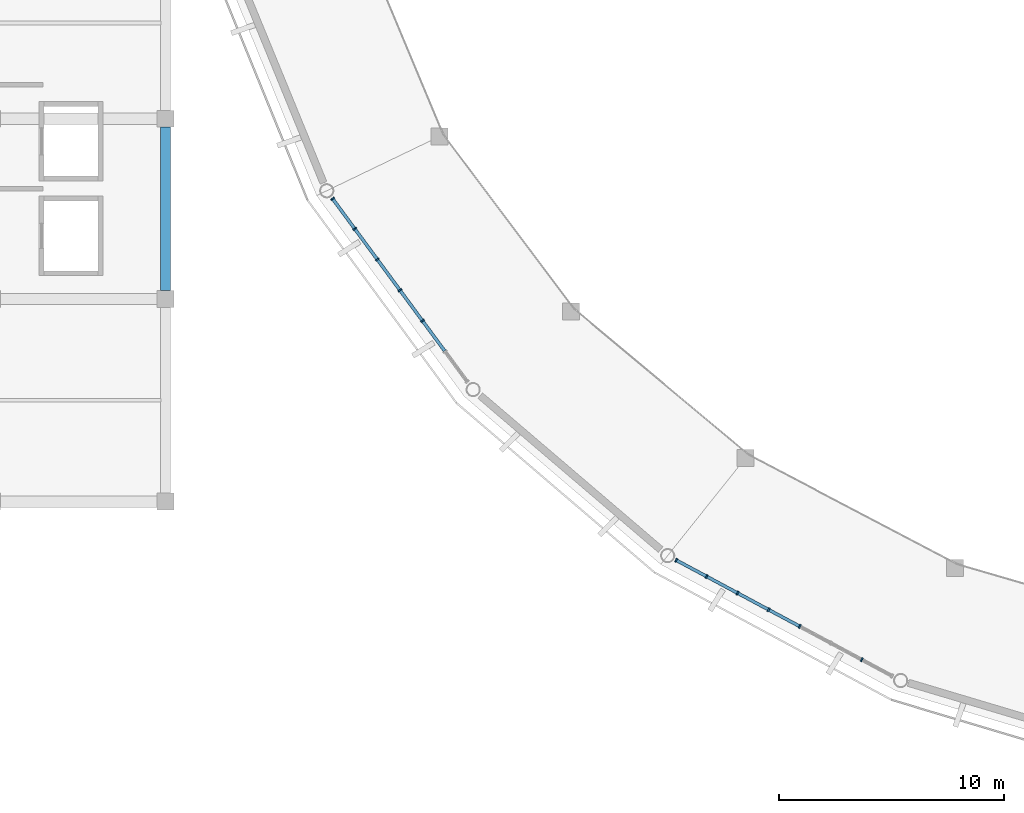
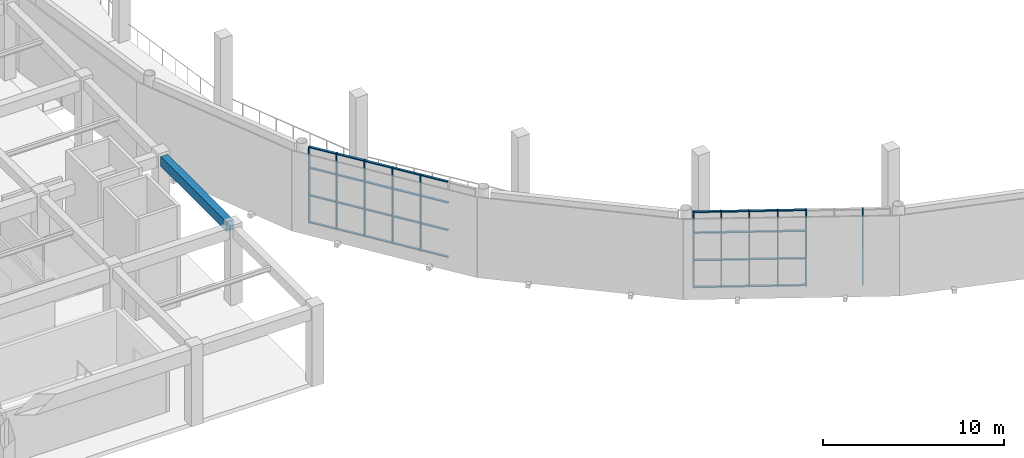
# One storey, part 9 of 40: 47 members, 1 beam, 2 elements without a shape of their own.
"""IFC4 building model written with IfcOpenShell, lengths in metres."""

from ifc_helpers import new_model, si_unit, direction, frame, origin, origin_2d, place, context, subcontext, project, spatial, rectangle, extrude, material, material_profile, profile_set, type_object, element, aggregate, save


model = new_model("IFC4")

# Units and contexts
model_context = context("Model", 3, precision=1e-05, world=origin(), true_north=direction((0.0, 1.0)))
body_context = subcontext(model_context, "Body", "Model", "MODEL_VIEW")
ifc_project = project(units=[si_unit("LENGTHUNIT", "METRE"), si_unit("AREAUNIT", "SQUARE_METRE"), si_unit("VOLUMEUNIT", "CUBIC_METRE"), si_unit("PLANEANGLEUNIT", "RADIAN"), si_unit("MASSUNIT", "GRAM", prefix="KILO")], contexts=[model_context])

# Site, building, storey
site_placement = place(None, origin())
site = spatial("IfcSite", under=ifc_project, at=site_placement, CompositionType="ELEMENT")
building_placement = place(site_placement, origin())
building = spatial("IfcBuilding", under=site, at=building_placement, Name="Cuetzalor Civic Arena", CompositionType="ELEMENT")
storey_placement = place(building_placement, frame((0.0, 0.0, 26.39990234375)))
storey = spatial("IfcBuildingStorey", under=building, at=storey_placement, Name="L05", CompositionType="ELEMENT", Elevation=26.39990234375)

# Beam
ifc_material_1 = material(Name="Concrete C40/50", Category="concrete")
ifc_material_profile_1 = material_profile(ifc_material_1, rectangle(XDim=0.449951171875, YDim=0.64990234375, at=origin_2d()), Name="RC 450x650")
ifc_profile_set_1 = profile_set([ifc_material_profile_1], Name="Concrete C40/50")
beam_type = type_object("IfcBeamType", Name="ConcreteTieBeam_450x650", PredefinedType="BEAM", material=ifc_profile_set_1)
beam_placement = place(storey_placement, frame((-56.300048828125, -24.635009765625, 4.85498046875), z_axis=(0.0, 1.0, 0.0), x_axis=(-1.0, 0.0, 0.0)))
element("IfcBeam", 1, at=beam_placement, inside=storey, type_object=beam_type, Name="Frame Girder V4W-L05-Y1238", PredefinedType="BEAM", context=body_context, shape_type="SweptSolid", body=[
    extrude(rectangle(XDim=0.449951171875, YDim=0.64990234375, at=origin_2d()), origin(), (0.0, 0.0, 1.0), 7.27001953125),
])

# Curtain wall, members
ifc_material_2 = material(Name="Anodised dark bronze aluminium and low-E solar glass", Category="aluminium")
curtain_wall_type_1 = type_object("IfcCurtainWallType", Name="UnitisedCW_10150x5150", PredefinedType="USERDEFINED", material=ifc_material_2)
curtain_wall_1_placement = place(storey_placement, origin())
curtain_wall_1 = element("IfcCurtainWall", 2, at=curtain_wall_1_placement, inside=storey, type_object=curtain_wall_type_1, Name="Drum Triangle Foyer Curtain Wall L05-075", ObjectType="UNITISED CURTAIN WALL", PredefinedType="USERDEFINED")
ifc_material_3 = material(Name="Anodised dark bronze aluminium", Category="aluminium")
ifc_material_profile_2 = material_profile(ifc_material_3, rectangle(XDim=0.070068359375, YDim=0.179931640625, at=origin_2d()), Name="ALU MULLION 70x180")
ifc_profile_set_2 = profile_set([ifc_material_profile_2], Name="Anodised dark bronze aluminium")
member_type_1 = type_object("IfcMemberType", Name="CurtainWallMullion_65x180", PredefinedType="MULLION", material=ifc_profile_set_2)
member_1_placement = place(storey_placement, frame((-44.89599609375, -25.9716796875, 0.0), z_axis=(0.0, 0.0, 1.0), x_axis=(-0.59292931222, 0.805254513002, 0.0)))
member_1 = element("IfcMember", 3, at=member_1_placement, type_object=member_type_1, Name="CW-18 mullion 3", PredefinedType="MULLION", context=body_context, shape_type="SweptSolid", body=[
    extrude(rectangle(XDim=0.070068359375, YDim=0.179931640625, at=origin_2d()), origin(), (0.0, 0.0, 1.0), 5.135986328125),
])
member_2_placement = place(storey_placement, frame((-45.8984375, -24.6103515625, 0.0), z_axis=(0.0, 0.0, 1.0), x_axis=(-0.59292931222, 0.805254513002, 0.0)))
member_2 = element("IfcMember", 4, at=member_2_placement, type_object=member_type_1, Name="CW-18 mullion 4", PredefinedType="MULLION", context=body_context, shape_type="SweptSolid", body=[
    extrude(rectangle(XDim=0.070068359375, YDim=0.179931640625, at=origin_2d()), origin(), (0.0, 0.0, 1.0), 5.135986328125),
])
member_3_placement = place(storey_placement, frame((-46.90087890625, -23.2490234375, 0.0), z_axis=(0.0, 0.0, 1.0), x_axis=(-0.59292931222, 0.805254513002, 0.0)))
member_3 = element("IfcMember", 5, at=member_3_placement, type_object=member_type_1, Name="CW-18 mullion 5", PredefinedType="MULLION", context=body_context, shape_type="SweptSolid", body=[
    extrude(rectangle(XDim=0.070068359375, YDim=0.179931640625, at=origin_2d()), origin(), (0.0, 0.0, 1.0), 5.135986328125),
])
member_4_placement = place(storey_placement, frame((-47.9033203125, -21.8876953125, 0.0), z_axis=(0.0, 0.0, 1.0), x_axis=(-0.59292931222, 0.805254513002, 0.0)))
member_4 = element("IfcMember", 6, at=member_4_placement, type_object=member_type_1, Name="CW-18 mullion 6", PredefinedType="MULLION", context=body_context, shape_type="SweptSolid", body=[
    extrude(rectangle(XDim=0.070068359375, YDim=0.179931640625, at=origin_2d()), origin(), (0.0, 0.0, 1.0), 5.135986328125),
])
member_5_placement = place(storey_placement, frame((-48.885009765625, -20.554443359375, 0.0), z_axis=(0.0, 0.0, 1.0), x_axis=(-0.59292931222, 0.805254513002, 0.0)))
member_5 = element("IfcMember", 7, at=member_5_placement, type_object=member_type_1, Name="CW-18 mullion 7", PredefinedType="MULLION", context=body_context, shape_type="SweptSolid", body=[
    extrude(rectangle(XDim=0.070068359375, YDim=0.179931640625, at=origin_2d()), origin(), (0.0, 0.0, 1.0), 5.135986328125),
])

ifc_material_4 = material(Name="Anodised dark bronze aluminium and low-E solar glass", Category="aluminium")
curtain_wall_type_2 = type_object("IfcCurtainWallType", Name="UnitisedCW_10950x5150", PredefinedType="USERDEFINED", material=ifc_material_4)
curtain_wall_2_placement = place(storey_placement, origin())
curtain_wall_2 = element("IfcCurtainWall", 8, at=curtain_wall_2_placement, inside=storey, type_object=curtain_wall_type_2, Name="Drum Triangle Foyer Curtain Wall L05-076", ObjectType="UNITISED CURTAIN WALL", PredefinedType="USERDEFINED")
member_6_placement = place(storey_placement, frame((-25.39453125, -41.0146484375, 0.0), z_axis=(0.0, 0.0, 1.0), x_axis=(-0.881306344124, 0.472545371163, 0.0)))
member_6 = element("IfcMember", 9, at=member_6_placement, type_object=member_type_1, Name="CW-19 mullion 2", PredefinedType="MULLION", context=body_context, shape_type="SweptSolid", body=[
    extrude(rectangle(XDim=0.070068359375, YDim=0.179931640625, at=origin_2d()), origin(), (0.0, 0.0, 1.0), 5.135986328125),
])
member_7_placement = place(storey_placement, frame((-28.15087890625, -39.53662109375, 0.0), z_axis=(0.0, 0.0, 1.0), x_axis=(-0.881306344124, 0.472545371163, 0.0)))
member_7 = element("IfcMember", 10, at=member_7_placement, type_object=member_type_1, Name="CW-19 mullion 4", PredefinedType="MULLION", context=body_context, shape_type="SweptSolid", body=[
    extrude(rectangle(XDim=0.070068359375, YDim=0.179931640625, at=origin_2d()), origin(), (0.0, 0.0, 1.0), 5.135986328125),
])
member_8_placement = place(storey_placement, frame((-29.529052734375, -38.797607421875, 0.0), z_axis=(0.0, 0.0, 1.0), x_axis=(-0.881306344124, 0.472545371163, 0.0)))
member_8 = element("IfcMember", 11, at=member_8_placement, type_object=member_type_1, Name="CW-19 mullion 5", PredefinedType="MULLION", context=body_context, shape_type="SweptSolid", body=[
    extrude(rectangle(XDim=0.070068359375, YDim=0.179931640625, at=origin_2d()), origin(), (0.0, 0.0, 1.0), 5.135986328125),
])
member_9_placement = place(storey_placement, frame((-30.9072265625, -38.058837890625, 0.0), z_axis=(0.0, 0.0, 1.0), x_axis=(-0.881306344124, 0.472545371163, 0.0)))
member_9 = element("IfcMember", 12, at=member_9_placement, type_object=member_type_1, Name="CW-19 mullion 6", PredefinedType="MULLION", context=body_context, shape_type="SweptSolid", body=[
    extrude(rectangle(XDim=0.070068359375, YDim=0.179931640625, at=origin_2d()), origin(), (0.0, 0.0, 1.0), 5.135986328125),
])
member_10_placement = place(storey_placement, frame((-32.28515625, -37.31982421875, 0.0), z_axis=(0.0, 0.0, 1.0), x_axis=(-0.881306344124, 0.472545371163, 0.0)))
member_10 = element("IfcMember", 13, at=member_10_placement, type_object=member_type_1, Name="CW-19 mullion 7", PredefinedType="MULLION", context=body_context, shape_type="SweptSolid", body=[
    extrude(rectangle(XDim=0.070068359375, YDim=0.179931640625, at=origin_2d()), origin(), (0.0, 0.0, 1.0), 5.135986328125),
])
member_11_placement = place(storey_placement, frame((-33.632568359375, -36.597412109375, 0.0), z_axis=(0.0, 0.0, 1.0), x_axis=(-0.881306344124, 0.472545371163, 0.0)))
member_11 = element("IfcMember", 14, at=member_11_placement, type_object=member_type_1, Name="CW-19 mullion 8", PredefinedType="MULLION", context=body_context, shape_type="SweptSolid", body=[
    extrude(rectangle(XDim=0.070068359375, YDim=0.179931640625, at=origin_2d()), origin(), (0.0, 0.0, 1.0), 5.135986328125),
])

# Member
ifc_material_5 = material(Name="Anodised dark bronze aluminium", Category="aluminium")
ifc_material_profile_3 = material_profile(ifc_material_5, rectangle(XDim=0.139892578125, YDim=0.070068359375, at=origin_2d()), Name="ALU TRANSOM 70x140")
ifc_profile_set_3 = profile_set([ifc_material_profile_3], Name="Anodised dark bronze aluminium")
member_type_2 = type_object("IfcMemberType", Name="CurtainWallTransom_65x140", PredefinedType="USERDEFINED", material=ifc_profile_set_3)
member_12_placement = place(storey_placement, frame((-43.914306640625, -27.304931640625, 0.03515625), z_axis=(-0.592962622822, 0.805229984499, 0.0), x_axis=(-0.805229984499, -0.592962622822, 0.0)))
member_12 = element("IfcMember", 15, at=member_12_placement, type_object=member_type_2, Name="CW-18 transom 2.1", ObjectType="TRANSOM", PredefinedType="USERDEFINED", context=body_context, shape_type="SweptSolid", body=[
    extrude(rectangle(XDim=0.139892578125, YDim=0.070068359375, at=origin_2d()), origin(), (0.0, 0.0, 1.0), 1.62060546875),
])

member_13_placement = place(storey_placement, frame((-43.914306640625, -27.304931640625, 1.84912109375), z_axis=(-0.592962622822, 0.805229984499, 0.0), x_axis=(-0.805229984499, -0.592962622822, 0.0)))
member_13 = element("IfcMember", 16, at=member_13_placement, type_object=member_type_2, Name="CW-18 transom 2.2", ObjectType="TRANSOM", PredefinedType="USERDEFINED", context=body_context, shape_type="SweptSolid", body=[
    extrude(rectangle(XDim=0.139892578125, YDim=0.070068359375, at=origin_2d()), origin(), (0.0, 0.0, 1.0), 1.62060546875),
])

member_14_placement = place(storey_placement, frame((-43.914306640625, -27.304931640625, 3.697998046875), z_axis=(-0.592962622822, 0.805229984499, 0.0), x_axis=(-0.805229984499, -0.592962622822, 0.0)))
member_14 = element("IfcMember", 17, at=member_14_placement, type_object=member_type_2, Name="CW-18 transom 2.3", ObjectType="TRANSOM", PredefinedType="USERDEFINED", context=body_context, shape_type="SweptSolid", body=[
    extrude(rectangle(XDim=0.139892578125, YDim=0.070068359375, at=origin_2d()), origin(), (0.0, 0.0, 1.0), 1.62060546875),
])

member_15_placement = place(storey_placement, frame((-43.914306640625, -27.304931640625, 5.10107421875), z_axis=(-0.592962622822, 0.805229984499, 0.0), x_axis=(-0.805229984499, -0.592962622822, 0.0)))
member_15 = element("IfcMember", 18, at=member_15_placement, type_object=member_type_2, Name="CW-18 transom 2.4", ObjectType="TRANSOM", PredefinedType="USERDEFINED", context=body_context, shape_type="SweptSolid", body=[
    extrude(rectangle(XDim=0.139892578125, YDim=0.070068359375, at=origin_2d()), origin(), (0.0, 0.0, 1.0), 1.62060546875),
])

member_16_placement = place(storey_placement, frame((-44.916748046875, -25.943603515625, 0.03515625), z_axis=(-0.592962622822, 0.805229984499, 0.0), x_axis=(-0.805229984499, -0.592962622822, 0.0)))
member_16 = element("IfcMember", 19, at=member_16_placement, type_object=member_type_2, Name="CW-18 transom 3.1", ObjectType="TRANSOM", PredefinedType="USERDEFINED", context=body_context, shape_type="SweptSolid", body=[
    extrude(rectangle(XDim=0.139892578125, YDim=0.070068359375, at=origin_2d()), origin(), (0.0, 0.0, 1.0), 1.62060546875),
])

member_17_placement = place(storey_placement, frame((-44.916748046875, -25.943603515625, 1.84912109375), z_axis=(-0.592962622822, 0.805229984499, 0.0), x_axis=(-0.805229984499, -0.592962622822, 0.0)))
member_17 = element("IfcMember", 20, at=member_17_placement, type_object=member_type_2, Name="CW-18 transom 3.2", ObjectType="TRANSOM", PredefinedType="USERDEFINED", context=body_context, shape_type="SweptSolid", body=[
    extrude(rectangle(XDim=0.139892578125, YDim=0.070068359375, at=origin_2d()), origin(), (0.0, 0.0, 1.0), 1.62060546875),
])

member_18_placement = place(storey_placement, frame((-44.916748046875, -25.943603515625, 3.697998046875), z_axis=(-0.592962622822, 0.805229984499, 0.0), x_axis=(-0.805229984499, -0.592962622822, 0.0)))
member_18 = element("IfcMember", 21, at=member_18_placement, type_object=member_type_2, Name="CW-18 transom 3.3", ObjectType="TRANSOM", PredefinedType="USERDEFINED", context=body_context, shape_type="SweptSolid", body=[
    extrude(rectangle(XDim=0.139892578125, YDim=0.070068359375, at=origin_2d()), origin(), (0.0, 0.0, 1.0), 1.62060546875),
])

member_19_placement = place(storey_placement, frame((-44.916748046875, -25.943603515625, 5.10107421875), z_axis=(-0.592962622822, 0.805229984499, 0.0), x_axis=(-0.805229984499, -0.592962622822, 0.0)))
member_19 = element("IfcMember", 22, at=member_19_placement, type_object=member_type_2, Name="CW-18 transom 3.4", ObjectType="TRANSOM", PredefinedType="USERDEFINED", context=body_context, shape_type="SweptSolid", body=[
    extrude(rectangle(XDim=0.139892578125, YDim=0.070068359375, at=origin_2d()), origin(), (0.0, 0.0, 1.0), 1.62060546875),
])

member_20_placement = place(storey_placement, frame((-45.919189453125, -24.582275390625, 0.03515625), z_axis=(-0.592890697621, 0.805282944482, 0.0), x_axis=(-0.805282944482, -0.592890697621, 0.0)))
member_20 = element("IfcMember", 23, at=member_20_placement, type_object=member_type_2, Name="CW-18 transom 4.1", ObjectType="TRANSOM", PredefinedType="USERDEFINED", context=body_context, shape_type="SweptSolid", body=[
    extrude(rectangle(XDim=0.139892578125, YDim=0.070068359375, at=origin_2d()), origin(), (0.0, 0.0, 1.0), 1.620849609375),
])

member_21_placement = place(storey_placement, frame((-45.919189453125, -24.582275390625, 1.84912109375), z_axis=(-0.592890697621, 0.805282944482, 0.0), x_axis=(-0.805282944482, -0.592890697621, 0.0)))
member_21 = element("IfcMember", 24, at=member_21_placement, type_object=member_type_2, Name="CW-18 transom 4.2", ObjectType="TRANSOM", PredefinedType="USERDEFINED", context=body_context, shape_type="SweptSolid", body=[
    extrude(rectangle(XDim=0.139892578125, YDim=0.070068359375, at=origin_2d()), origin(), (0.0, 0.0, 1.0), 1.620849609375),
])

member_22_placement = place(storey_placement, frame((-45.919189453125, -24.582275390625, 3.697998046875), z_axis=(-0.592890697621, 0.805282944482, 0.0), x_axis=(-0.805282944482, -0.592890697621, 0.0)))
member_22 = element("IfcMember", 25, at=member_22_placement, type_object=member_type_2, Name="CW-18 transom 4.3", ObjectType="TRANSOM", PredefinedType="USERDEFINED", context=body_context, shape_type="SweptSolid", body=[
    extrude(rectangle(XDim=0.139892578125, YDim=0.070068359375, at=origin_2d()), origin(), (0.0, 0.0, 1.0), 1.620849609375),
])

member_23_placement = place(storey_placement, frame((-45.919189453125, -24.582275390625, 5.10107421875), z_axis=(-0.592890697621, 0.805282944482, 0.0), x_axis=(-0.805282944482, -0.592890697621, 0.0)))
member_23 = element("IfcMember", 26, at=member_23_placement, type_object=member_type_2, Name="CW-18 transom 4.4", ObjectType="TRANSOM", PredefinedType="USERDEFINED", context=body_context, shape_type="SweptSolid", body=[
    extrude(rectangle(XDim=0.139892578125, YDim=0.070068359375, at=origin_2d()), origin(), (0.0, 0.0, 1.0), 1.620849609375),
])

member_24_placement = place(storey_placement, frame((-46.921630859375, -23.220703125, 0.03515625), z_axis=(-0.592962622822, 0.805229984499, 0.0), x_axis=(-0.805229984499, -0.592962622822, 0.0)))
member_24 = element("IfcMember", 27, at=member_24_placement, type_object=member_type_2, Name="CW-18 transom 5.1", ObjectType="TRANSOM", PredefinedType="USERDEFINED", context=body_context, shape_type="SweptSolid", body=[
    extrude(rectangle(XDim=0.139892578125, YDim=0.070068359375, at=origin_2d()), origin(), (0.0, 0.0, 1.0), 1.62060546875),
])

member_25_placement = place(storey_placement, frame((-46.921630859375, -23.220703125, 1.84912109375), z_axis=(-0.592962622822, 0.805229984499, 0.0), x_axis=(-0.805229984499, -0.592962622822, 0.0)))
member_25 = element("IfcMember", 28, at=member_25_placement, type_object=member_type_2, Name="CW-18 transom 5.2", ObjectType="TRANSOM", PredefinedType="USERDEFINED", context=body_context, shape_type="SweptSolid", body=[
    extrude(rectangle(XDim=0.139892578125, YDim=0.070068359375, at=origin_2d()), origin(), (0.0, 0.0, 1.0), 1.62060546875),
])

member_26_placement = place(storey_placement, frame((-46.921630859375, -23.220703125, 3.697998046875), z_axis=(-0.592962622822, 0.805229984499, 0.0), x_axis=(-0.805229984499, -0.592962622822, 0.0)))
member_26 = element("IfcMember", 29, at=member_26_placement, type_object=member_type_2, Name="CW-18 transom 5.3", ObjectType="TRANSOM", PredefinedType="USERDEFINED", context=body_context, shape_type="SweptSolid", body=[
    extrude(rectangle(XDim=0.139892578125, YDim=0.070068359375, at=origin_2d()), origin(), (0.0, 0.0, 1.0), 1.62060546875),
])

member_27_placement = place(storey_placement, frame((-46.921630859375, -23.220703125, 5.10107421875), z_axis=(-0.592962622822, 0.805229984499, 0.0), x_axis=(-0.805229984499, -0.592962622822, 0.0)))
member_27 = element("IfcMember", 30, at=member_27_placement, type_object=member_type_2, Name="CW-18 transom 5.4", ObjectType="TRANSOM", PredefinedType="USERDEFINED", context=body_context, shape_type="SweptSolid", body=[
    extrude(rectangle(XDim=0.139892578125, YDim=0.070068359375, at=origin_2d()), origin(), (0.0, 0.0, 1.0), 1.62060546875),
])

member_28_placement = place(storey_placement, frame((-47.924072265625, -21.859375, 0.03515625), z_axis=(-0.59293115048, 0.805253159442, 0.0), x_axis=(-0.805253159442, -0.59293115048, 0.0)))
member_28 = element("IfcMember", 31, at=member_28_placement, type_object=member_type_2, Name="CW-18 transom 6.1", ObjectType="TRANSOM", PredefinedType="USERDEFINED", context=body_context, shape_type="SweptSolid", body=[
    extrude(rectangle(XDim=0.139892578125, YDim=0.070068359375, at=origin_2d()), origin(), (0.0, 0.0, 1.0), 1.585693359375),
])

member_29_placement = place(storey_placement, frame((-47.924072265625, -21.859375, 1.84912109375), z_axis=(-0.59293115048, 0.805253159442, 0.0), x_axis=(-0.805253159442, -0.59293115048, 0.0)))
member_29 = element("IfcMember", 32, at=member_29_placement, type_object=member_type_2, Name="CW-18 transom 6.2", ObjectType="TRANSOM", PredefinedType="USERDEFINED", context=body_context, shape_type="SweptSolid", body=[
    extrude(rectangle(XDim=0.139892578125, YDim=0.070068359375, at=origin_2d()), origin(), (0.0, 0.0, 1.0), 1.585693359375),
])

member_30_placement = place(storey_placement, frame((-47.924072265625, -21.859375, 3.697998046875), z_axis=(-0.59293115048, 0.805253159442, 0.0), x_axis=(-0.805253159442, -0.59293115048, 0.0)))
member_30 = element("IfcMember", 33, at=member_30_placement, type_object=member_type_2, Name="CW-18 transom 6.3", ObjectType="TRANSOM", PredefinedType="USERDEFINED", context=body_context, shape_type="SweptSolid", body=[
    extrude(rectangle(XDim=0.139892578125, YDim=0.070068359375, at=origin_2d()), origin(), (0.0, 0.0, 1.0), 1.585693359375),
])

member_31_placement = place(storey_placement, frame((-47.924072265625, -21.859375, 5.10107421875), z_axis=(-0.59293115048, 0.805253159442, 0.0), x_axis=(-0.805253159442, -0.59293115048, 0.0)))
member_31 = element("IfcMember", 34, at=member_31_placement, type_object=member_type_2, Name="CW-18 transom 6.4", ObjectType="TRANSOM", PredefinedType="USERDEFINED", context=body_context, shape_type="SweptSolid", body=[
    extrude(rectangle(XDim=0.139892578125, YDim=0.070068359375, at=origin_2d()), origin(), (0.0, 0.0, 1.0), 1.585693359375),
])

aggregate(curtain_wall_1, [member_1, member_2, member_3, member_4, member_5, member_12, member_13, member_14, member_15, member_16, member_17, member_18, member_19, member_20, member_21, member_22, member_23, member_24, member_25, member_26, member_27, member_28, member_29, member_30, member_31])

member_32_placement = place(storey_placement, frame((-28.181640625, -39.52001953125, 0.03515625), z_axis=(-0.881314685602, 0.472529813812, 0.0), x_axis=(-0.472529813812, -0.881314685602, 0.0)))
member_32 = element("IfcMember", 35, at=member_32_placement, type_object=member_type_2, Name="CW-19 transom 4.1", ObjectType="TRANSOM", PredefinedType="USERDEFINED", context=body_context, shape_type="SweptSolid", body=[
    extrude(rectangle(XDim=0.139892578125, YDim=0.070068359375, at=origin_2d()), origin(), (0.0, 0.0, 1.0), 1.49365234375),
])

member_33_placement = place(storey_placement, frame((-28.181640625, -39.52001953125, 1.84912109375), z_axis=(-0.881314685602, 0.472529813812, 0.0), x_axis=(-0.472529813812, -0.881314685602, 0.0)))
member_33 = element("IfcMember", 36, at=member_33_placement, type_object=member_type_2, Name="CW-19 transom 4.2", ObjectType="TRANSOM", PredefinedType="USERDEFINED", context=body_context, shape_type="SweptSolid", body=[
    extrude(rectangle(XDim=0.139892578125, YDim=0.070068359375, at=origin_2d()), origin(), (0.0, 0.0, 1.0), 1.49365234375),
])

member_34_placement = place(storey_placement, frame((-28.181640625, -39.52001953125, 3.697998046875), z_axis=(-0.881314685602, 0.472529813812, 0.0), x_axis=(-0.472529813812, -0.881314685602, 0.0)))
member_34 = element("IfcMember", 37, at=member_34_placement, type_object=member_type_2, Name="CW-19 transom 4.3", ObjectType="TRANSOM", PredefinedType="USERDEFINED", context=body_context, shape_type="SweptSolid", body=[
    extrude(rectangle(XDim=0.139892578125, YDim=0.070068359375, at=origin_2d()), origin(), (0.0, 0.0, 1.0), 1.49365234375),
])

member_35_placement = place(storey_placement, frame((-28.181640625, -39.52001953125, 5.10107421875), z_axis=(-0.881314685602, 0.472529813812, 0.0), x_axis=(-0.472529813812, -0.881314685602, 0.0)))
member_35 = element("IfcMember", 38, at=member_35_placement, type_object=member_type_2, Name="CW-19 transom 4.4", ObjectType="TRANSOM", PredefinedType="USERDEFINED", context=body_context, shape_type="SweptSolid", body=[
    extrude(rectangle(XDim=0.139892578125, YDim=0.070068359375, at=origin_2d()), origin(), (0.0, 0.0, 1.0), 1.49365234375),
])

member_36_placement = place(storey_placement, frame((-29.559814453125, -38.78125, 0.03515625), z_axis=(-0.881314685602, 0.472529813812, 0.0), x_axis=(-0.472529813812, -0.881314685602, 0.0)))
member_36 = element("IfcMember", 39, at=member_36_placement, type_object=member_type_2, Name="CW-19 transom 5.1", ObjectType="TRANSOM", PredefinedType="USERDEFINED", context=body_context, shape_type="SweptSolid", body=[
    extrude(rectangle(XDim=0.139892578125, YDim=0.070068359375, at=origin_2d()), origin(), (0.0, 0.0, 1.0), 1.49365234375),
])

member_37_placement = place(storey_placement, frame((-29.559814453125, -38.78125, 1.84912109375), z_axis=(-0.881314685602, 0.472529813812, 0.0), x_axis=(-0.472529813812, -0.881314685602, 0.0)))
member_37 = element("IfcMember", 40, at=member_37_placement, type_object=member_type_2, Name="CW-19 transom 5.2", ObjectType="TRANSOM", PredefinedType="USERDEFINED", context=body_context, shape_type="SweptSolid", body=[
    extrude(rectangle(XDim=0.139892578125, YDim=0.070068359375, at=origin_2d()), origin(), (0.0, 0.0, 1.0), 1.49365234375),
])

member_38_placement = place(storey_placement, frame((-29.559814453125, -38.78125, 3.697998046875), z_axis=(-0.881314685602, 0.472529813812, 0.0), x_axis=(-0.472529813812, -0.881314685602, 0.0)))
member_38 = element("IfcMember", 41, at=member_38_placement, type_object=member_type_2, Name="CW-19 transom 5.3", ObjectType="TRANSOM", PredefinedType="USERDEFINED", context=body_context, shape_type="SweptSolid", body=[
    extrude(rectangle(XDim=0.139892578125, YDim=0.070068359375, at=origin_2d()), origin(), (0.0, 0.0, 1.0), 1.49365234375),
])

member_39_placement = place(storey_placement, frame((-29.559814453125, -38.78125, 5.10107421875), z_axis=(-0.881314685602, 0.472529813812, 0.0), x_axis=(-0.472529813812, -0.881314685602, 0.0)))
member_39 = element("IfcMember", 42, at=member_39_placement, type_object=member_type_2, Name="CW-19 transom 5.4", ObjectType="TRANSOM", PredefinedType="USERDEFINED", context=body_context, shape_type="SweptSolid", body=[
    extrude(rectangle(XDim=0.139892578125, YDim=0.070068359375, at=origin_2d()), origin(), (0.0, 0.0, 1.0), 1.49365234375),
])

member_40_placement = place(storey_placement, frame((-30.93798828125, -38.042236328125, 0.03515625), z_axis=(-0.881314685602, 0.472529813812, 0.0), x_axis=(-0.472529813812, -0.881314685602, 0.0)))
member_40 = element("IfcMember", 43, at=member_40_placement, type_object=member_type_2, Name="CW-19 transom 6.1", ObjectType="TRANSOM", PredefinedType="USERDEFINED", context=body_context, shape_type="SweptSolid", body=[
    extrude(rectangle(XDim=0.139892578125, YDim=0.070068359375, at=origin_2d()), origin(), (0.0, 0.0, 1.0), 1.49365234375),
])

member_41_placement = place(storey_placement, frame((-30.93798828125, -38.042236328125, 1.84912109375), z_axis=(-0.881314685602, 0.472529813812, 0.0), x_axis=(-0.472529813812, -0.881314685602, 0.0)))
member_41 = element("IfcMember", 44, at=member_41_placement, type_object=member_type_2, Name="CW-19 transom 6.2", ObjectType="TRANSOM", PredefinedType="USERDEFINED", context=body_context, shape_type="SweptSolid", body=[
    extrude(rectangle(XDim=0.139892578125, YDim=0.070068359375, at=origin_2d()), origin(), (0.0, 0.0, 1.0), 1.49365234375),
])

member_42_placement = place(storey_placement, frame((-30.93798828125, -38.042236328125, 3.697998046875), z_axis=(-0.881314685602, 0.472529813812, 0.0), x_axis=(-0.472529813812, -0.881314685602, 0.0)))
member_42 = element("IfcMember", 45, at=member_42_placement, type_object=member_type_2, Name="CW-19 transom 6.3", ObjectType="TRANSOM", PredefinedType="USERDEFINED", context=body_context, shape_type="SweptSolid", body=[
    extrude(rectangle(XDim=0.139892578125, YDim=0.070068359375, at=origin_2d()), origin(), (0.0, 0.0, 1.0), 1.49365234375),
])

member_43_placement = place(storey_placement, frame((-30.93798828125, -38.042236328125, 5.10107421875), z_axis=(-0.881314685602, 0.472529813812, 0.0), x_axis=(-0.472529813812, -0.881314685602, 0.0)))
member_43 = element("IfcMember", 46, at=member_43_placement, type_object=member_type_2, Name="CW-19 transom 6.4", ObjectType="TRANSOM", PredefinedType="USERDEFINED", context=body_context, shape_type="SweptSolid", body=[
    extrude(rectangle(XDim=0.139892578125, YDim=0.070068359375, at=origin_2d()), origin(), (0.0, 0.0, 1.0), 1.49365234375),
])

member_44_placement = place(storey_placement, frame((-32.316162109375, -37.30322265625, 0.03515625), z_axis=(-0.881345577681, 0.472472192517, 0.0), x_axis=(-0.472472192517, -0.881345577681, 0.0)))
member_44 = element("IfcMember", 47, at=member_44_placement, type_object=member_type_2, Name="CW-19 transom 7.1", ObjectType="TRANSOM", PredefinedType="USERDEFINED", context=body_context, shape_type="SweptSolid", body=[
    extrude(rectangle(XDim=0.139892578125, YDim=0.070068359375, at=origin_2d()), origin(), (0.0, 0.0, 1.0), 1.458740234375),
])

member_45_placement = place(storey_placement, frame((-32.316162109375, -37.30322265625, 1.84912109375), z_axis=(-0.881345577681, 0.472472192517, 0.0), x_axis=(-0.472472192517, -0.881345577681, 0.0)))
member_45 = element("IfcMember", 48, at=member_45_placement, type_object=member_type_2, Name="CW-19 transom 7.2", ObjectType="TRANSOM", PredefinedType="USERDEFINED", context=body_context, shape_type="SweptSolid", body=[
    extrude(rectangle(XDim=0.139892578125, YDim=0.070068359375, at=origin_2d()), origin(), (0.0, 0.0, 1.0), 1.458740234375),
])

member_46_placement = place(storey_placement, frame((-32.316162109375, -37.30322265625, 3.697998046875), z_axis=(-0.881345577681, 0.472472192517, 0.0), x_axis=(-0.472472192517, -0.881345577681, 0.0)))
member_46 = element("IfcMember", 49, at=member_46_placement, type_object=member_type_2, Name="CW-19 transom 7.3", ObjectType="TRANSOM", PredefinedType="USERDEFINED", context=body_context, shape_type="SweptSolid", body=[
    extrude(rectangle(XDim=0.139892578125, YDim=0.070068359375, at=origin_2d()), origin(), (0.0, 0.0, 1.0), 1.458740234375),
])

member_47_placement = place(storey_placement, frame((-32.316162109375, -37.30322265625, 5.10107421875), z_axis=(-0.881345577681, 0.472472192517, 0.0), x_axis=(-0.472472192517, -0.881345577681, 0.0)))
member_47 = element("IfcMember", 50, at=member_47_placement, type_object=member_type_2, Name="CW-19 transom 7.4", ObjectType="TRANSOM", PredefinedType="USERDEFINED", context=body_context, shape_type="SweptSolid", body=[
    extrude(rectangle(XDim=0.139892578125, YDim=0.070068359375, at=origin_2d()), origin(), (0.0, 0.0, 1.0), 1.458740234375),
])

aggregate(curtain_wall_2, [member_6, member_7, member_8, member_9, member_10, member_11, member_32, member_33, member_34, member_35, member_36, member_37, member_38, member_39, member_40, member_41, member_42, member_43, member_44, member_45, member_46, member_47])

save(model, "model.ifc")
